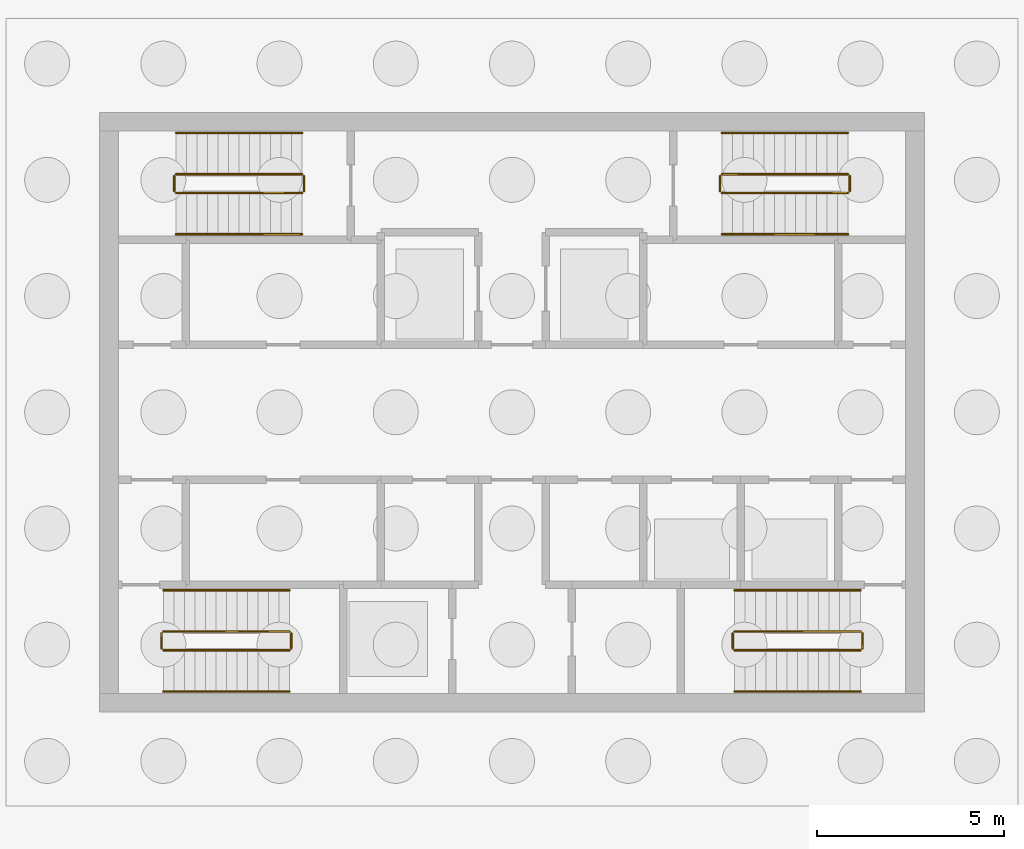
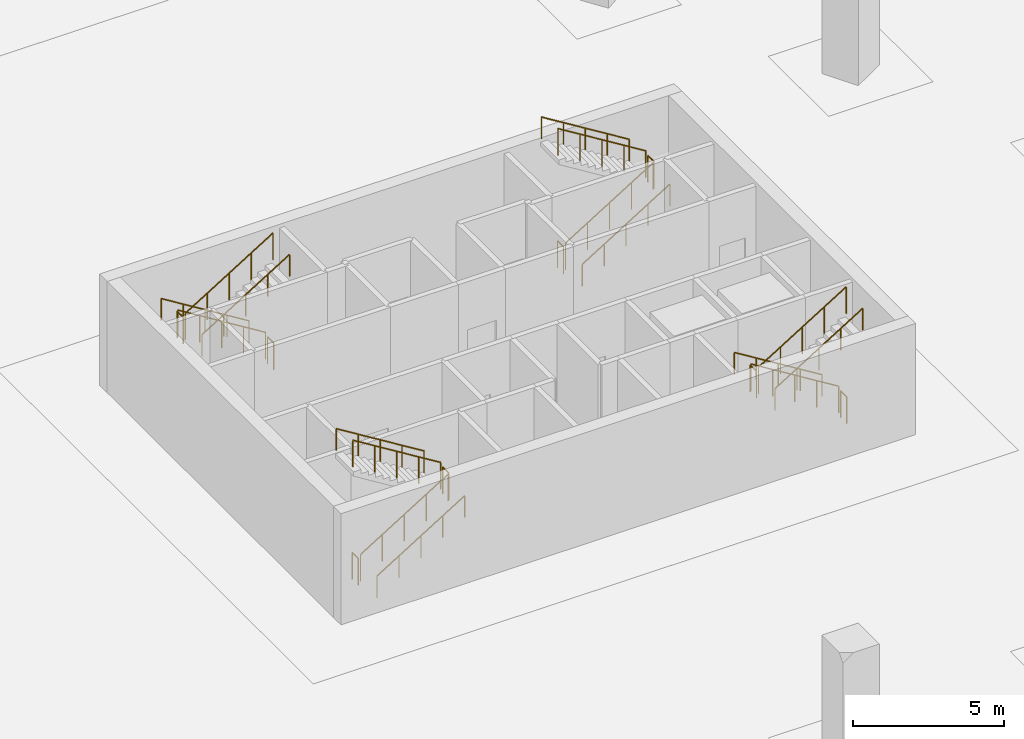
# One storey, part 7 of 8: 24 railings.
"""IFC4 building model written with IfcOpenShell, lengths in metres."""

import ifcopenshell
import ifcopenshell.guid

model = None  # the IFC model being written
_history = None  # IfcOwnerHistory: only IFC2X3 demands one
_inside = {}  # id of a spatial element -> (the spatial element, [elements in it])
_under = {}  # id of a project, library or spatial element -> (it, [spatial elements below it])
_declared = {}  # id of a project -> (the project, [libraries it declares])
_typed = {}  # id of a type object -> (the type object, [elements of that type])
_made_of = {}  # id of a material, layer set ... -> (it, [elements and type objects made of it])


def new_model(schema):
    """Start an empty IFC model of exactly this schema.

    Asked for "IFC4X3", IfcOpenShell would pick the latest addendum, in which some entities
    have other attributes; the version numbers below select the first issue.
    IFC2X3 requires an IfcOwnerHistory on every rooted entity: one is made here for all.
    """
    global model, _history
    if schema == "IFC4X3":
        model = ifcopenshell.file(schema_version=(4, 3, 0, 0))
    else:
        model = ifcopenshell.file(schema=schema)
    _inside.clear()
    _under.clear()
    _declared.clear()
    _typed.clear()
    _made_of.clear()
    _history = None
    if model.schema == "IFC2X3":
        org = make("IfcOrganization", Name="unknown")
        user = make(
            "IfcPersonAndOrganization",
            ThePerson=make("IfcPerson", FamilyName="unknown"),
            TheOrganization=org,
        )
        app = make(
            "IfcApplication",
            ApplicationDeveloper=org,
            Version="unknown",
            ApplicationFullName="unknown",
            ApplicationIdentifier="unknown",
        )
        _history = make(
            "IfcOwnerHistory",
            OwningUser=user,
            OwningApplication=app,
            ChangeAction="ADDED",
            CreationDate=0,
        )
    return model


def make(cls, **values):
    """One entity of the class cls with the attributes given. An attribute that is None is left unset."""
    return model.create_entity(
        cls, **{name: value for name, value in values.items() if value is not None}
    )


def rooted(cls, **values):
    """An entity with a GlobalId (a new one), such as an element, a storey or a relation."""
    return make(cls, GlobalId=ifcopenshell.guid.new(), OwnerHistory=_history, **values)


def si_unit(unit_type, name, prefix=None):
    """IfcSIUnit, for example si_unit("LENGTHUNIT", "METRE", prefix="MILLI")."""
    return make("IfcSIUnit", UnitType=unit_type, Prefix=prefix, Name=name)


def assignment(units):
    """IfcUnitAssignment: the units of a project."""
    return None if units is None else make("IfcUnitAssignment", Units=units)


def point(xyz):
    """IfcCartesianPoint."""
    return None if xyz is None else make("IfcCartesianPoint", Coordinates=xyz)


def direction(xyz):
    """IfcDirection."""
    return None if xyz is None else make("IfcDirection", DirectionRatios=xyz)


def frame(location, z_axis=None, x_axis=None):
    """IfcAxis2Placement3D, a coordinate frame: its origin and axes. An axis left out is left unset."""
    return make(
        "IfcAxis2Placement3D",
        Location=point(location),
        Axis=direction(z_axis),
        RefDirection=direction(x_axis),
    )


def frame_2d(location, x_axis=None):
    """IfcAxis2Placement2D, a coordinate frame in the plane: its origin and x axis."""
    return make(
        "IfcAxis2Placement2D", Location=point(location), RefDirection=direction(x_axis)
    )


def origin():
    """The frame at (0, 0, 0) with its axes left unset."""
    return frame((0.0, 0.0, 0.0))


def origin_2d():
    """The frame at (0, 0) in the plane with its x axis left unset."""
    return frame_2d((0.0, 0.0))


def place(relative_to, where):
    """IfcLocalPlacement: puts the frame where relative to a parent placement (None: the world)."""
    return make(
        "IfcLocalPlacement", PlacementRelTo=relative_to, RelativePlacement=where
    )


def context(
    kind, dimensions, precision=None, world=None, true_north=None, identifier=None
):
    """IfcGeometricRepresentationContext, for example the 3D "Model" context."""
    return make(
        "IfcGeometricRepresentationContext",
        ContextIdentifier=identifier,
        ContextType=kind,
        CoordinateSpaceDimension=dimensions,
        Precision=precision,
        WorldCoordinateSystem=world,
        TrueNorth=true_north,
    )


def subcontext(parent, identifier, kind, view, scale=None):
    """IfcGeometricRepresentationSubContext, for example "Body" below "Model"."""
    return make(
        "IfcGeometricRepresentationSubContext",
        ContextIdentifier=identifier,
        ContextType=kind,
        ParentContext=parent,
        TargetScale=scale,
        TargetView=view,
    )


def project(units=None, contexts=None):
    """IfcProject with its units and contexts."""
    return rooted(
        "IfcProject",
        Name="project",
        RepresentationContexts=contexts,
        UnitsInContext=assignment(units),
    )


def spatial(cls, under=None, at=None, **own):
    """A site, building, storey or space (cls), placed at a placement, below another one or the project."""
    s = rooted(cls, ObjectPlacement=at, **own)
    if under is not None:
        _under.setdefault(under.id(), (under, []))[1].append(s)
    return s


def profile(cls, at=None, kind="AREA", **sizes):
    """A parametric profile (cls). Its sizes go by their IFC names, for example OverallWidth=200.0."""
    return make(cls, ProfileType=kind, Position=at, **sizes)


def circle(**sizes):
    """IfcCircleProfileDef."""
    return profile("IfcCircleProfileDef", **sizes)


def extrude(swept, where, along, depth):
    """IfcExtrudedAreaSolid: the profile swept, set in the frame where, extruded along a direction by depth."""
    return make(
        "IfcExtrudedAreaSolid",
        SweptArea=swept,
        Position=where,
        ExtrudedDirection=direction(along),
        Depth=depth,
    )


def shape(context_of_items, identifier, shape_type, items):
    """IfcShapeRepresentation: the items that make up one representation, for example the "Body"."""
    return make(
        "IfcShapeRepresentation",
        ContextOfItems=context_of_items,
        RepresentationIdentifier=identifier,
        RepresentationType=shape_type,
        Items=items,
    )


def material(Name=None, Category=None):
    """IfcMaterial."""
    return make("IfcMaterial", Name=Name, Category=Category)


def made_of(thing, what):
    """Note that an element or type object is made of a material, layer set ...; save() writes the relation."""
    if what is not None:
        _made_of.setdefault(what.id(), (what, []))[1].append(thing)
    return thing


def type_object(cls, material=None, **own):
    """A type object (cls), such as IfcWallType, which elements share."""
    return made_of(rooted(cls, **own), material)


def element(
    cls,
    number,
    at=None,
    inside=None,
    cuts=None,
    type_object=None,
    material=None,
    context=None,
    identifier="Body",
    shape_type=None,
    held_by="IfcProductDefinitionShape",
    body=None,
    shapes=None,
    **own,
):
    """One element of the class cls, such as IfcWall. Its Tag is "e" and its number.

    at: its placement. inside: the storey or other place that contains it. cuts: it is an
    opening in that element (IfcRelVoidsElement). A single representation is given by context,
    identifier, shape_type and body (its items); several are given by shapes. held_by: the class
    of the entity that holds the representations. save() writes the other relations.
    """
    e = rooted(cls, Tag="e%d" % number, ObjectPlacement=at, **own)
    if body is not None:
        shapes = [shape(context, identifier, shape_type, body)]
    if shapes is not None:
        e.Representation = make(held_by, Representations=shapes)
    if inside is not None:
        _inside.setdefault(inside.id(), (inside, []))[1].append(e)
    if cuts is not None:
        rooted(
            "IfcRelVoidsElement", RelatingBuildingElement=cuts, RelatedOpeningElement=e
        )
    if type_object is not None:
        _typed.setdefault(type_object.id(), (type_object, []))[1].append(e)
    return made_of(e, material)


def aggregate(whole, parts):
    """IfcRelAggregates: a whole, such as a stair, and the parts it consists of."""
    return rooted("IfcRelAggregates", RelatingObject=whole, RelatedObjects=parts)


def save(model, path):
    """Write the relations noted so far, then the file.

    IfcRelAggregates (storeys below a building ...), IfcRelContainedInSpatialStructure (elements
    in a storey), IfcRelDefinesByType, IfcRelAssociatesMaterial and IfcRelDeclares: one each for
    every whole, place, type object, material and project.
    """
    for whole, parts in _under.values():
        aggregate(whole, parts)
    for where, things in _inside.values():
        rooted(
            "IfcRelContainedInSpatialStructure",
            RelatedElements=things,
            RelatingStructure=where,
        )
    for kind, things in _typed.values():
        rooted("IfcRelDefinesByType", RelatedObjects=things, RelatingType=kind)
    for what, things in _made_of.values():
        rooted("IfcRelAssociatesMaterial", RelatedObjects=things, RelatingMaterial=what)
    for by, libraries in _declared.values():
        rooted("IfcRelDeclares", RelatingContext=by, RelatedDefinitions=libraries)
    model.write(path)


model = new_model("IFC4")

# Units and contexts
model_context = context("Model", 3, precision=1e-05, world=origin(), true_north=direction((0.0, 1.0)))
body_context = subcontext(model_context, "Body", "Model", "MODEL_VIEW")
ifc_project = project(units=[si_unit("LENGTHUNIT", "METRE"), si_unit("AREAUNIT", "SQUARE_METRE"), si_unit("VOLUMEUNIT", "CUBIC_METRE"), si_unit("PLANEANGLEUNIT", "RADIAN"), si_unit("MASSUNIT", "GRAM", prefix="KILO")], contexts=[model_context])

# Site, building, storey
site_placement = place(None, origin())
site = spatial("IfcSite", under=ifc_project, at=site_placement, CompositionType="ELEMENT")
building_placement = place(site_placement, origin())
building = spatial("IfcBuilding", under=site, at=building_placement, Name="Sierra Prisma Convention Tower", CompositionType="ELEMENT")
storey_placement = place(building_placement, frame((0.0, 0.0, -9.0)))
storey = spatial("IfcBuildingStorey", under=building, at=storey_placement, Name="B2", CompositionType="ELEMENT", Elevation=-9.0)

# Railings
ifc_material_1 = material(Name="Stainless steel", Category="steel")
railing_type_1 = type_object("IfcRailingType", Name="Exit stair handrail", PredefinedType="HANDRAIL", material=ifc_material_1)
railing_1_placement = place(storey_placement, frame((-9.300048828125, -7.449951171875, 0.173095703125)))
element("IfcRailing", 1, at=railing_1_placement, inside=storey, type_object=railing_type_1, Name="B2 S1 stair handrail 1", PredefinedType="HANDRAIL", context=body_context, shape_type="SweptSolid", body=[
    extrude(circle(Radius=0.02392578125, at=origin_2d()), frame((0.0, 0.0, 0.8759765625), z_axis=(0.850623216509, 0.0, 0.525775754039), x_axis=(0.0, 1.0, 0.0)), (0.0, 0.0, 1.0), 3.9501953125),
    extrude(circle(Radius=0.02099609375, at=origin_2d()), origin(), (0.0, 0.0, 1.0), 0.851806640625),
    extrude(circle(Radius=0.02099609375, at=origin_2d()), frame((0.840087890625, 0.0, 0.519287109375)), (0.0, 0.0, 1.0), 0.851806640625),
    extrude(circle(Radius=0.02099609375, at=origin_2d()), frame((1.68017578125, 0.0, 1.03857421875)), (0.0, 0.0, 1.0), 0.851806640625),
    extrude(circle(Radius=0.02099609375, at=origin_2d()), frame((2.52001953125, 0.0, 1.5576171875)), (0.0, 0.0, 1.0), 0.851806640625),
    extrude(circle(Radius=0.02099609375, at=origin_2d()), frame((3.360107421875, 0.0, 2.076904296875)), (0.0, 0.0, 1.0), 0.851806640625),
])
for number, where, name in (
    (2, (-5.93994140625, -4.75, 2.423095703125), "B2 S1 stair handrail 2"),
    (3, (9.300048828125, -4.75, 0.173095703125), "B2 S2 stair handrail 1"),
):
    element("IfcRailing", number, at=place(storey_placement, frame(where)), inside=storey, type_object=railing_type_1, Name=name, PredefinedType="HANDRAIL", context=body_context, shape_type="SweptSolid", body=[
        extrude(circle(Radius=0.02392578125, at=origin_2d()), frame((0.0, 0.0, 0.8759765625), z_axis=(-0.850623216509, 0.0, 0.525775754039), x_axis=(0.0, -1.0, 0.0)), (0.0, 0.0, 1.0), 3.9501953125),
        extrude(circle(Radius=0.02099609375, at=origin_2d()), origin(), (0.0, 0.0, 1.0), 0.851806640625),
        extrude(circle(Radius=0.02099609375, at=origin_2d()), frame((-0.840087890625, 0.0, 0.519287109375)), (0.0, 0.0, 1.0), 0.851806640625),
        extrude(circle(Radius=0.02099609375, at=origin_2d()), frame((-1.68017578125, 0.0, 1.03857421875)), (0.0, 0.0, 1.0), 0.851806640625),
        extrude(circle(Radius=0.02099609375, at=origin_2d()), frame((-2.52001953125, 0.0, 1.5576171875)), (0.0, 0.0, 1.0), 0.851806640625),
        extrude(circle(Radius=0.02099609375, at=origin_2d()), frame((-3.360107421875, 0.0, 2.076904296875)), (0.0, 0.0, 1.0), 0.851806640625),
    ])
railing_2_placement = place(storey_placement, frame((5.93994140625, -7.449951171875, 2.423095703125)))
element("IfcRailing", 4, at=railing_2_placement, inside=storey, type_object=railing_type_1, Name="B2 S2 stair handrail 2", PredefinedType="HANDRAIL", context=body_context, shape_type="SweptSolid", body=[
    extrude(circle(Radius=0.02392578125, at=origin_2d()), frame((0.0, 0.0, 0.8759765625), z_axis=(0.850623216509, 0.0, 0.525775754039), x_axis=(0.0, 1.0, 0.0)), (0.0, 0.0, 1.0), 3.9501953125),
    extrude(circle(Radius=0.02099609375, at=origin_2d()), origin(), (0.0, 0.0, 1.0), 0.851806640625),
    extrude(circle(Radius=0.02099609375, at=origin_2d()), frame((0.840087890625, 0.0, 0.519287109375)), (0.0, 0.0, 1.0), 0.851806640625),
    extrude(circle(Radius=0.02099609375, at=origin_2d()), frame((1.68017578125, 0.0, 1.03857421875)), (0.0, 0.0, 1.0), 0.851806640625),
    extrude(circle(Radius=0.02099609375, at=origin_2d()), frame((2.52001953125, 0.0, 1.5576171875)), (0.0, 0.0, 1.0), 0.851806640625),
    extrude(circle(Radius=0.02099609375, at=origin_2d()), frame((3.360107421875, 0.0, 2.076904296875)), (0.0, 0.0, 1.0), 0.851806640625),
])
railing_3_placement = place(storey_placement, frame((-5.60009765625, 7.449951171875, 0.173095703125)))
element("IfcRailing", 5, at=railing_3_placement, inside=storey, type_object=railing_type_1, Name="B2 S3 stair handrail 1", PredefinedType="HANDRAIL", context=body_context, shape_type="SweptSolid", body=[
    extrude(circle(Radius=0.02392578125, at=origin_2d()), frame((0.0, 0.0, 0.8759765625), z_axis=(-0.850606129759, 0.0, 0.525803396734), x_axis=(0.0, -1.0, 0.0)), (0.0, 0.0, 1.0), 3.949951171875),
    extrude(circle(Radius=0.02099609375, at=origin_2d()), origin(), (0.0, 0.0, 1.0), 0.851806640625),
    extrude(circle(Radius=0.02099609375, at=origin_2d()), frame((-0.83984375, 0.0, 0.519287109375)), (0.0, 0.0, 1.0), 0.851806640625),
    extrude(circle(Radius=0.02099609375, at=origin_2d()), frame((-1.679931640625, 0.0, 1.03857421875)), (0.0, 0.0, 1.0), 0.851806640625),
    extrude(circle(Radius=0.02099609375, at=origin_2d()), frame((-2.52001953125, 0.0, 1.5576171875)), (0.0, 0.0, 1.0), 0.851806640625),
    extrude(circle(Radius=0.02099609375, at=origin_2d()), frame((-3.35986328125, 0.0, 2.076904296875)), (0.0, 0.0, 1.0), 0.851806640625),
])
for number, where, name in (
    (6, (-8.9599609375, 4.75, 2.423095703125), "B2 S3 stair handrail 2"),
    (7, (5.60009765625, 4.75, 0.173095703125), "B2 S4 stair handrail 1"),
):
    element("IfcRailing", number, at=place(storey_placement, frame(where)), inside=storey, type_object=railing_type_1, Name=name, PredefinedType="HANDRAIL", context=body_context, shape_type="SweptSolid", body=[
        extrude(circle(Radius=0.02392578125, at=origin_2d()), frame((0.0, 0.0, 0.8759765625), z_axis=(0.850606129759, 0.0, 0.525803396734), x_axis=(0.0, 1.0, 0.0)), (0.0, 0.0, 1.0), 3.949951171875),
        extrude(circle(Radius=0.02099609375, at=origin_2d()), origin(), (0.0, 0.0, 1.0), 0.851806640625),
        extrude(circle(Radius=0.02099609375, at=origin_2d()), frame((0.83984375, 0.0, 0.519287109375)), (0.0, 0.0, 1.0), 0.851806640625),
        extrude(circle(Radius=0.02099609375, at=origin_2d()), frame((1.679931640625, 0.0, 1.03857421875)), (0.0, 0.0, 1.0), 0.851806640625),
        extrude(circle(Radius=0.02099609375, at=origin_2d()), frame((2.52001953125, 0.0, 1.5576171875)), (0.0, 0.0, 1.0), 0.851806640625),
        extrude(circle(Radius=0.02099609375, at=origin_2d()), frame((3.35986328125, 0.0, 2.076904296875)), (0.0, 0.0, 1.0), 0.851806640625),
    ])
railing_4_placement = place(storey_placement, frame((8.9599609375, 7.449951171875, 2.423095703125)))
element("IfcRailing", 8, at=railing_4_placement, inside=storey, type_object=railing_type_1, Name="B2 S4 stair handrail 2", PredefinedType="HANDRAIL", context=body_context, shape_type="SweptSolid", body=[
    extrude(circle(Radius=0.02392578125, at=origin_2d()), frame((0.0, 0.0, 0.8759765625), z_axis=(-0.850606129759, 0.0, 0.525803396734), x_axis=(0.0, -1.0, 0.0)), (0.0, 0.0, 1.0), 3.949951171875),
    extrude(circle(Radius=0.02099609375, at=origin_2d()), origin(), (0.0, 0.0, 1.0), 0.851806640625),
    extrude(circle(Radius=0.02099609375, at=origin_2d()), frame((-0.83984375, 0.0, 0.519287109375)), (0.0, 0.0, 1.0), 0.851806640625),
    extrude(circle(Radius=0.02099609375, at=origin_2d()), frame((-1.679931640625, 0.0, 1.03857421875)), (0.0, 0.0, 1.0), 0.851806640625),
    extrude(circle(Radius=0.02099609375, at=origin_2d()), frame((-2.52001953125, 0.0, 1.5576171875)), (0.0, 0.0, 1.0), 0.851806640625),
    extrude(circle(Radius=0.02099609375, at=origin_2d()), frame((-3.35986328125, 0.0, 2.076904296875)), (0.0, 0.0, 1.0), 0.851806640625),
])
ifc_material_2 = material(Name="Stainless steel", Category="steel")
railing_type_2 = type_object("IfcRailingType", Name="Stair guard 1100", PredefinedType="GUARDRAIL", material=ifc_material_2)
railing_5_placement = place(storey_placement, frame((-9.300048828125, -6.35009765625, 0.173095703125)))
element("IfcRailing", 9, at=railing_5_placement, inside=storey, type_object=railing_type_2, Name="B2 S1 stair guard 1", PredefinedType="GUARDRAIL", context=body_context, shape_type="SweptSolid", body=[
    extrude(circle(Radius=0.02392578125, at=origin_2d()), frame((0.0, 0.0, 1.076171875), z_axis=(0.850623216509, 0.0, 0.525775754039), x_axis=(0.0, 1.0, 0.0)), (0.0, 0.0, 1.0), 3.9501953125),
    extrude(circle(Radius=0.02099609375, at=origin_2d()), origin(), (0.0, 0.0, 1.0), 1.052001953125),
    extrude(circle(Radius=0.02099609375, at=origin_2d()), frame((0.840087890625, 0.0, 0.519287109375)), (0.0, 0.0, 1.0), 1.052001953125),
    extrude(circle(Radius=0.02099609375, at=origin_2d()), frame((1.68017578125, 0.0, 1.03857421875)), (0.0, 0.0, 1.0), 1.052001953125),
    extrude(circle(Radius=0.02099609375, at=origin_2d()), frame((2.52001953125, 0.0, 1.5576171875)), (0.0, 0.0, 1.0), 1.052001953125),
    extrude(circle(Radius=0.02099609375, at=origin_2d()), frame((3.360107421875, 0.0, 2.076904296875)), (0.0, 0.0, 1.0), 1.052001953125),
])
railing_6_placement = place(storey_placement, frame((-5.889892578125, -6.300048828125, 2.25)))
element("IfcRailing", 10, at=railing_6_placement, inside=storey, type_object=railing_type_2, Name="B2 S1 stair guard 2", PredefinedType="GUARDRAIL", context=body_context, shape_type="SweptSolid", body=[
    extrude(circle(Radius=0.02392578125, at=origin_2d()), frame((0.0, 0.0, 1.076171875), z_axis=(0.0, 1.0, 0.0), x_axis=(-1.0, 0.0, 0.0)), (0.0, 0.0, 1.0), 0.400146484375),
    extrude(circle(Radius=0.02099609375, at=origin_2d()), origin(), (0.0, 0.0, 1.0), 1.052001953125),
    extrude(circle(Radius=0.02099609375, at=origin_2d()), frame((0.0, 0.400146484375, 0.0)), (0.0, 0.0, 1.0), 1.052001953125),
])
railing_7_placement = place(storey_placement, frame((-5.93994140625, -5.85009765625, 2.423095703125)))
element("IfcRailing", 11, at=railing_7_placement, inside=storey, type_object=railing_type_2, Name="B2 S1 stair guard 3", PredefinedType="GUARDRAIL", context=body_context, shape_type="SweptSolid", body=[
    extrude(circle(Radius=0.02392578125, at=origin_2d()), frame((0.0, 0.0, 1.076171875), z_axis=(-0.850623216509, 0.0, 0.525775754039), x_axis=(0.0, -1.0, 0.0)), (0.0, 0.0, 1.0), 3.9501953125),
    extrude(circle(Radius=0.02099609375, at=origin_2d()), origin(), (0.0, 0.0, 1.0), 1.052001953125),
    extrude(circle(Radius=0.02099609375, at=origin_2d()), frame((-0.840087890625, 0.0, 0.519287109375)), (0.0, 0.0, 1.0), 1.052001953125),
    extrude(circle(Radius=0.02099609375, at=origin_2d()), frame((-1.68017578125, 0.0, 1.03857421875)), (0.0, 0.0, 1.0), 1.052001953125),
    extrude(circle(Radius=0.02099609375, at=origin_2d()), frame((-2.52001953125, 0.0, 1.5576171875)), (0.0, 0.0, 1.0), 1.052001953125),
    extrude(circle(Radius=0.02099609375, at=origin_2d()), frame((-3.360107421875, 0.0, 2.076904296875)), (0.0, 0.0, 1.0), 1.052001953125),
])
railing_8_placement = place(storey_placement, frame((-9.35009765625, -6.300048828125, 0.0)))
element("IfcRailing", 12, at=railing_8_placement, inside=storey, type_object=railing_type_2, Name="B2 S1 stair guard 4", PredefinedType="GUARDRAIL", context=body_context, shape_type="SweptSolid", body=[
    extrude(circle(Radius=0.02392578125, at=origin_2d()), frame((0.0, 0.0, 1.076171875), z_axis=(0.0, 1.0, 0.0), x_axis=(-1.0, 0.0, 0.0)), (0.0, 0.0, 1.0), 0.400146484375),
    extrude(circle(Radius=0.02099609375, at=origin_2d()), origin(), (0.0, 0.0, 1.0), 1.052001953125),
    extrude(circle(Radius=0.02099609375, at=origin_2d()), frame((0.0, 0.400146484375, 0.0)), (0.0, 0.0, 1.0), 1.052001953125),
])
railing_9_placement = place(storey_placement, frame((9.300048828125, -5.85009765625, 0.173095703125)))
element("IfcRailing", 13, at=railing_9_placement, inside=storey, type_object=railing_type_2, Name="B2 S2 stair guard 1", PredefinedType="GUARDRAIL", context=body_context, shape_type="SweptSolid", body=[
    extrude(circle(Radius=0.02392578125, at=origin_2d()), frame((0.0, 0.0, 1.076171875), z_axis=(-0.850623216509, 0.0, 0.525775754039), x_axis=(0.0, -1.0, 0.0)), (0.0, 0.0, 1.0), 3.9501953125),
    extrude(circle(Radius=0.02099609375, at=origin_2d()), origin(), (0.0, 0.0, 1.0), 1.052001953125),
    extrude(circle(Radius=0.02099609375, at=origin_2d()), frame((-0.840087890625, 0.0, 0.519287109375)), (0.0, 0.0, 1.0), 1.052001953125),
    extrude(circle(Radius=0.02099609375, at=origin_2d()), frame((-1.68017578125, 0.0, 1.03857421875)), (0.0, 0.0, 1.0), 1.052001953125),
    extrude(circle(Radius=0.02099609375, at=origin_2d()), frame((-2.52001953125, 0.0, 1.5576171875)), (0.0, 0.0, 1.0), 1.052001953125),
    extrude(circle(Radius=0.02099609375, at=origin_2d()), frame((-3.360107421875, 0.0, 2.076904296875)), (0.0, 0.0, 1.0), 1.052001953125),
])
railing_10_placement = place(storey_placement, frame((5.889892578125, -5.89990234375, 2.25)))
element("IfcRailing", 14, at=railing_10_placement, inside=storey, type_object=railing_type_2, Name="B2 S2 stair guard 2", PredefinedType="GUARDRAIL", context=body_context, shape_type="SweptSolid", body=[
    extrude(circle(Radius=0.02392578125, at=origin_2d()), frame((0.0, 0.0, 1.076171875), z_axis=(0.0, -1.0, 0.0), x_axis=(1.0, 0.0, 0.0)), (0.0, 0.0, 1.0), 0.400146484375),
    extrude(circle(Radius=0.02099609375, at=origin_2d()), origin(), (0.0, 0.0, 1.0), 1.052001953125),
    extrude(circle(Radius=0.02099609375, at=origin_2d()), frame((0.0, -0.400146484375, 0.0)), (0.0, 0.0, 1.0), 1.052001953125),
])
railing_11_placement = place(storey_placement, frame((5.93994140625, -6.35009765625, 2.423095703125)))
element("IfcRailing", 15, at=railing_11_placement, inside=storey, type_object=railing_type_2, Name="B2 S2 stair guard 3", PredefinedType="GUARDRAIL", context=body_context, shape_type="SweptSolid", body=[
    extrude(circle(Radius=0.02392578125, at=origin_2d()), frame((0.0, 0.0, 1.076171875), z_axis=(0.850623216509, 0.0, 0.525775754039), x_axis=(0.0, 1.0, 0.0)), (0.0, 0.0, 1.0), 3.9501953125),
    extrude(circle(Radius=0.02099609375, at=origin_2d()), origin(), (0.0, 0.0, 1.0), 1.052001953125),
    extrude(circle(Radius=0.02099609375, at=origin_2d()), frame((0.840087890625, 0.0, 0.519287109375)), (0.0, 0.0, 1.0), 1.052001953125),
    extrude(circle(Radius=0.02099609375, at=origin_2d()), frame((1.68017578125, 0.0, 1.03857421875)), (0.0, 0.0, 1.0), 1.052001953125),
    extrude(circle(Radius=0.02099609375, at=origin_2d()), frame((2.52001953125, 0.0, 1.5576171875)), (0.0, 0.0, 1.0), 1.052001953125),
    extrude(circle(Radius=0.02099609375, at=origin_2d()), frame((3.360107421875, 0.0, 2.076904296875)), (0.0, 0.0, 1.0), 1.052001953125),
])
railing_12_placement = place(storey_placement, frame((9.35009765625, -5.89990234375, 0.0)))
element("IfcRailing", 16, at=railing_12_placement, inside=storey, type_object=railing_type_2, Name="B2 S2 stair guard 4", PredefinedType="GUARDRAIL", context=body_context, shape_type="SweptSolid", body=[
    extrude(circle(Radius=0.02392578125, at=origin_2d()), frame((0.0, 0.0, 1.076171875), z_axis=(0.0, -1.0, 0.0), x_axis=(1.0, 0.0, 0.0)), (0.0, 0.0, 1.0), 0.400146484375),
    extrude(circle(Radius=0.02099609375, at=origin_2d()), origin(), (0.0, 0.0, 1.0), 1.052001953125),
    extrude(circle(Radius=0.02099609375, at=origin_2d()), frame((0.0, -0.400146484375, 0.0)), (0.0, 0.0, 1.0), 1.052001953125),
])
railing_13_placement = place(storey_placement, frame((-5.60009765625, 6.35009765625, 0.173095703125)))
element("IfcRailing", 17, at=railing_13_placement, inside=storey, type_object=railing_type_2, Name="B2 S3 stair guard 1", PredefinedType="GUARDRAIL", context=body_context, shape_type="SweptSolid", body=[
    extrude(circle(Radius=0.02392578125, at=origin_2d()), frame((0.0, 0.0, 1.076171875), z_axis=(-0.850606129759, 0.0, 0.525803396734), x_axis=(0.0, -1.0, 0.0)), (0.0, 0.0, 1.0), 3.949951171875),
    extrude(circle(Radius=0.02099609375, at=origin_2d()), origin(), (0.0, 0.0, 1.0), 1.052001953125),
    extrude(circle(Radius=0.02099609375, at=origin_2d()), frame((-0.83984375, 0.0, 0.519287109375)), (0.0, 0.0, 1.0), 1.052001953125),
    extrude(circle(Radius=0.02099609375, at=origin_2d()), frame((-1.679931640625, 0.0, 1.03857421875)), (0.0, 0.0, 1.0), 1.052001953125),
    extrude(circle(Radius=0.02099609375, at=origin_2d()), frame((-2.52001953125, 0.0, 1.5576171875)), (0.0, 0.0, 1.0), 1.052001953125),
    extrude(circle(Radius=0.02099609375, at=origin_2d()), frame((-3.35986328125, 0.0, 2.076904296875)), (0.0, 0.0, 1.0), 1.052001953125),
])
railing_14_placement = place(storey_placement, frame((-9.010009765625, 6.300048828125, 2.25)))
element("IfcRailing", 18, at=railing_14_placement, inside=storey, type_object=railing_type_2, Name="B2 S3 stair guard 2", PredefinedType="GUARDRAIL", context=body_context, shape_type="SweptSolid", body=[
    extrude(circle(Radius=0.02392578125, at=origin_2d()), frame((0.0, 0.0, 1.076171875), z_axis=(0.0, -1.0, 0.0), x_axis=(1.0, 0.0, 0.0)), (0.0, 0.0, 1.0), 0.400146484375),
    extrude(circle(Radius=0.02099609375, at=origin_2d()), origin(), (0.0, 0.0, 1.0), 1.052001953125),
    extrude(circle(Radius=0.02099609375, at=origin_2d()), frame((0.0, -0.400146484375, 0.0)), (0.0, 0.0, 1.0), 1.052001953125),
])
railing_15_placement = place(storey_placement, frame((-8.9599609375, 5.85009765625, 2.423095703125)))
element("IfcRailing", 19, at=railing_15_placement, inside=storey, type_object=railing_type_2, Name="B2 S3 stair guard 3", PredefinedType="GUARDRAIL", context=body_context, shape_type="SweptSolid", body=[
    extrude(circle(Radius=0.02392578125, at=origin_2d()), frame((0.0, 0.0, 1.076171875), z_axis=(0.850606129759, 0.0, 0.525803396734), x_axis=(0.0, 1.0, 0.0)), (0.0, 0.0, 1.0), 3.949951171875),
    extrude(circle(Radius=0.02099609375, at=origin_2d()), origin(), (0.0, 0.0, 1.0), 1.052001953125),
    extrude(circle(Radius=0.02099609375, at=origin_2d()), frame((0.83984375, 0.0, 0.519287109375)), (0.0, 0.0, 1.0), 1.052001953125),
    extrude(circle(Radius=0.02099609375, at=origin_2d()), frame((1.679931640625, 0.0, 1.03857421875)), (0.0, 0.0, 1.0), 1.052001953125),
    extrude(circle(Radius=0.02099609375, at=origin_2d()), frame((2.52001953125, 0.0, 1.5576171875)), (0.0, 0.0, 1.0), 1.052001953125),
    extrude(circle(Radius=0.02099609375, at=origin_2d()), frame((3.35986328125, 0.0, 2.076904296875)), (0.0, 0.0, 1.0), 1.052001953125),
])
railing_16_placement = place(storey_placement, frame((-5.550048828125, 6.300048828125, 0.0)))
element("IfcRailing", 20, at=railing_16_placement, inside=storey, type_object=railing_type_2, Name="B2 S3 stair guard 4", PredefinedType="GUARDRAIL", context=body_context, shape_type="SweptSolid", body=[
    extrude(circle(Radius=0.02392578125, at=origin_2d()), frame((0.0, 0.0, 1.076171875), z_axis=(0.0, -1.0, 0.0), x_axis=(1.0, 0.0, 0.0)), (0.0, 0.0, 1.0), 0.400146484375),
    extrude(circle(Radius=0.02099609375, at=origin_2d()), origin(), (0.0, 0.0, 1.0), 1.052001953125),
    extrude(circle(Radius=0.02099609375, at=origin_2d()), frame((0.0, -0.400146484375, 0.0)), (0.0, 0.0, 1.0), 1.052001953125),
])
railing_17_placement = place(storey_placement, frame((5.60009765625, 5.85009765625, 0.173095703125)))
element("IfcRailing", 21, at=railing_17_placement, inside=storey, type_object=railing_type_2, Name="B2 S4 stair guard 1", PredefinedType="GUARDRAIL", context=body_context, shape_type="SweptSolid", body=[
    extrude(circle(Radius=0.02392578125, at=origin_2d()), frame((0.0, 0.0, 1.076171875), z_axis=(0.850606129759, 0.0, 0.525803396734), x_axis=(0.0, 1.0, 0.0)), (0.0, 0.0, 1.0), 3.949951171875),
    extrude(circle(Radius=0.02099609375, at=origin_2d()), origin(), (0.0, 0.0, 1.0), 1.052001953125),
    extrude(circle(Radius=0.02099609375, at=origin_2d()), frame((0.83984375, 0.0, 0.519287109375)), (0.0, 0.0, 1.0), 1.052001953125),
    extrude(circle(Radius=0.02099609375, at=origin_2d()), frame((1.679931640625, 0.0, 1.03857421875)), (0.0, 0.0, 1.0), 1.052001953125),
    extrude(circle(Radius=0.02099609375, at=origin_2d()), frame((2.52001953125, 0.0, 1.5576171875)), (0.0, 0.0, 1.0), 1.052001953125),
    extrude(circle(Radius=0.02099609375, at=origin_2d()), frame((3.35986328125, 0.0, 2.076904296875)), (0.0, 0.0, 1.0), 1.052001953125),
])
railing_18_placement = place(storey_placement, frame((9.010009765625, 5.89990234375, 2.25)))
element("IfcRailing", 22, at=railing_18_placement, inside=storey, type_object=railing_type_2, Name="B2 S4 stair guard 2", PredefinedType="GUARDRAIL", context=body_context, shape_type="SweptSolid", body=[
    extrude(circle(Radius=0.02392578125, at=origin_2d()), frame((0.0, 0.0, 1.076171875), z_axis=(0.0, 1.0, 0.0), x_axis=(-1.0, 0.0, 0.0)), (0.0, 0.0, 1.0), 0.400146484375),
    extrude(circle(Radius=0.02099609375, at=origin_2d()), origin(), (0.0, 0.0, 1.0), 1.052001953125),
    extrude(circle(Radius=0.02099609375, at=origin_2d()), frame((0.0, 0.400146484375, 0.0)), (0.0, 0.0, 1.0), 1.052001953125),
])
railing_19_placement = place(storey_placement, frame((8.9599609375, 6.35009765625, 2.423095703125)))
element("IfcRailing", 23, at=railing_19_placement, inside=storey, type_object=railing_type_2, Name="B2 S4 stair guard 3", PredefinedType="GUARDRAIL", context=body_context, shape_type="SweptSolid", body=[
    extrude(circle(Radius=0.02392578125, at=origin_2d()), frame((0.0, 0.0, 1.076171875), z_axis=(-0.850606129759, 0.0, 0.525803396734), x_axis=(0.0, -1.0, 0.0)), (0.0, 0.0, 1.0), 3.949951171875),
    extrude(circle(Radius=0.02099609375, at=origin_2d()), origin(), (0.0, 0.0, 1.0), 1.052001953125),
    extrude(circle(Radius=0.02099609375, at=origin_2d()), frame((-0.83984375, 0.0, 0.519287109375)), (0.0, 0.0, 1.0), 1.052001953125),
    extrude(circle(Radius=0.02099609375, at=origin_2d()), frame((-1.679931640625, 0.0, 1.03857421875)), (0.0, 0.0, 1.0), 1.052001953125),
    extrude(circle(Radius=0.02099609375, at=origin_2d()), frame((-2.52001953125, 0.0, 1.5576171875)), (0.0, 0.0, 1.0), 1.052001953125),
    extrude(circle(Radius=0.02099609375, at=origin_2d()), frame((-3.35986328125, 0.0, 2.076904296875)), (0.0, 0.0, 1.0), 1.052001953125),
])
railing_20_placement = place(storey_placement, frame((5.550048828125, 5.89990234375, 0.0)))
element("IfcRailing", 24, at=railing_20_placement, inside=storey, type_object=railing_type_2, Name="B2 S4 stair guard 4", PredefinedType="GUARDRAIL", context=body_context, shape_type="SweptSolid", body=[
    extrude(circle(Radius=0.02392578125, at=origin_2d()), frame((0.0, 0.0, 1.076171875), z_axis=(0.0, 1.0, 0.0), x_axis=(-1.0, 0.0, 0.0)), (0.0, 0.0, 1.0), 0.400146484375),
    extrude(circle(Radius=0.02099609375, at=origin_2d()), origin(), (0.0, 0.0, 1.0), 1.052001953125),
    extrude(circle(Radius=0.02099609375, at=origin_2d()), frame((0.0, 0.400146484375, 0.0)), (0.0, 0.0, 1.0), 1.052001953125),
])

save(model, "model.ifc")
